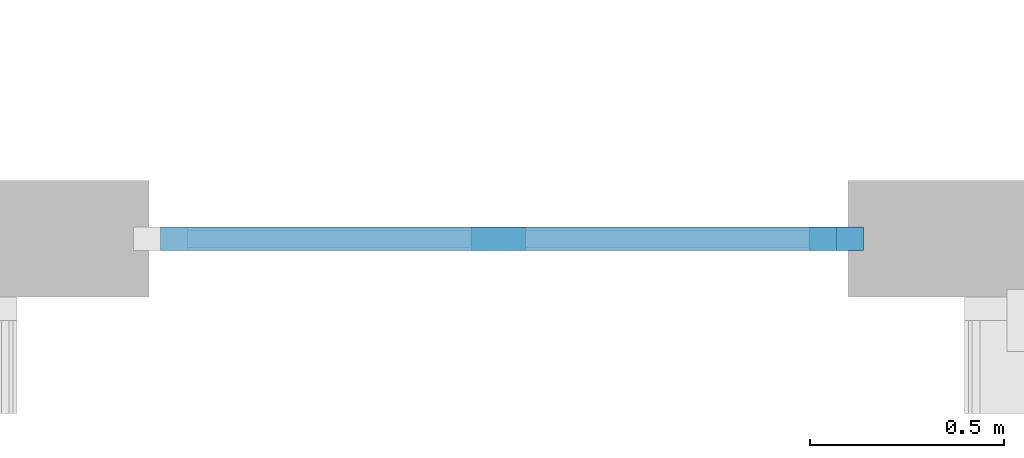
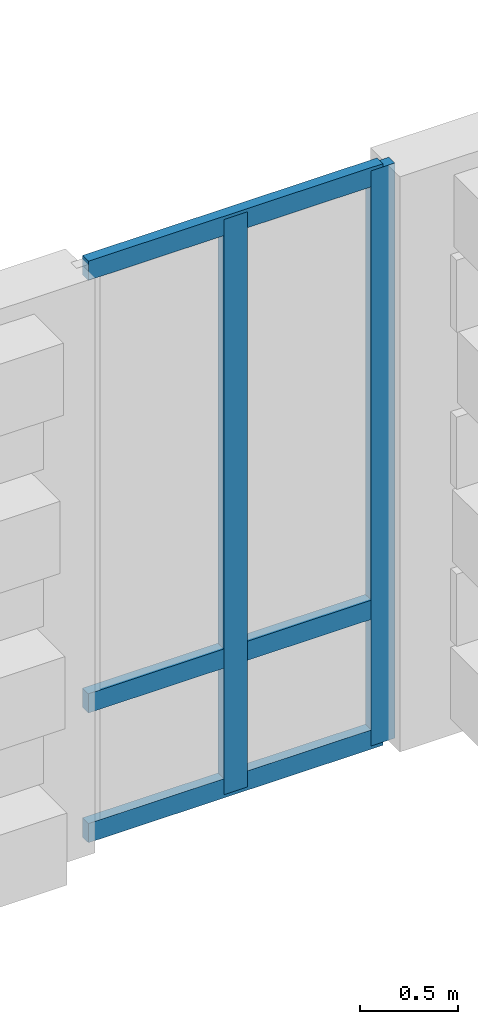
# One storey, part 6 of 57: 5 members, 1 element without a shape of its own.
"""IFC4 building model written with IfcOpenShell, lengths in metres."""

from ifc_helpers import new_model, si_unit, direction, frame, origin, origin_2d, place, context, subcontext, project, spatial, rectangle, extrude, material, material_profile, profile_set, type_object, element, aggregate, save


model = new_model("IFC4")

# Units and contexts
model_context = context("Model", 3, precision=1e-05, world=origin(), true_north=direction((0.0, 1.0)))
body_context = subcontext(model_context, "Body", "Model", "MODEL_VIEW")
ifc_project = project(units=[si_unit("LENGTHUNIT", "METRE"), si_unit("AREAUNIT", "SQUARE_METRE"), si_unit("VOLUMEUNIT", "CUBIC_METRE"), si_unit("PLANEANGLEUNIT", "RADIAN"), si_unit("MASSUNIT", "GRAM", prefix="KILO")], contexts=[model_context])

# Site, building, storey
site_placement = place(None, origin())
site = spatial("IfcSite", under=ifc_project, at=site_placement, CompositionType="ELEMENT")
building_placement = place(site_placement, origin())
building = spatial("IfcBuilding", under=site, at=building_placement, Name="Kahlenmark Community Centre", CompositionType="ELEMENT")
storey_placement = place(building_placement, frame((0.0, 0.0, 13.800048828125)))
storey = spatial("IfcBuildingStorey", under=building, at=storey_placement, Name="L03", CompositionType="ELEMENT", Elevation=13.800048828125)

# Curtain wall, members
ifc_material_1 = material(Name="Anodised aluminium unitised curtain wall", Category="aluminium")
curtain_wall_type = type_object("IfcCurtainWallType", Name="CWT-UNIT-180X359", PredefinedType="USERDEFINED", material=ifc_material_1)
curtain_wall_placement = place(storey_placement, origin())
curtain_wall = element("IfcCurtainWall", 1, at=curtain_wall_placement, inside=storey, type_object=curtain_wall_type, Name="Unitised curtain wall CW-107", ObjectType="UNITISED CURTAIN WALL", PredefinedType="USERDEFINED")
ifc_material_2 = material(Name="Anodised aluminium 6063-T6", Category="aluminium")
ifc_material_profile_1 = material_profile(ifc_material_2, rectangle(XDim=0.06005859375, YDim=0.139892578125, at=origin_2d()), Name="ALU MULLION 60x140")
ifc_profile_set_1 = profile_set([ifc_material_profile_1], Name="Anodised aluminium 6063-T6")
member_type_1 = type_object("IfcMemberType", Name="MT-MUL-140", PredefinedType="MULLION", material=ifc_profile_set_1)
member_1_placement = place(storey_placement, frame((33.39990234375, 8.800048828125, 0.0), z_axis=(0.0, 0.0, 1.0), x_axis=(0.0, 1.0, 0.0)))
member_1 = element("IfcMember", 2, at=member_1_placement, type_object=member_type_1, Name="CW-107 mullion 2", PredefinedType="MULLION", context=body_context, shape_type="SweptSolid", body=[
    extrude(rectangle(XDim=0.06005859375, YDim=0.139892578125, at=origin_2d()), origin(), (0.0, 0.0, 1.0), 3.58984375),
])
member_2_placement = place(storey_placement, frame((34.27001953125, 8.800048828125, 0.0), z_axis=(0.0, 0.0, 1.0), x_axis=(0.0, 1.0, 0.0)))
member_2 = element("IfcMember", 3, at=member_2_placement, type_object=member_type_1, Name="CW-107 mullion 3", PredefinedType="MULLION", context=body_context, shape_type="SweptSolid", body=[
    extrude(rectangle(XDim=0.06005859375, YDim=0.139892578125, at=origin_2d()), origin(), (0.0, 0.0, 1.0), 3.58984375),
])
ifc_material_profile_2 = material_profile(ifc_material_2, rectangle(XDim=0.06005859375, YDim=0.1201171875, at=origin_2d()), Name="ALU TRANSOM 60x120")
ifc_profile_set_2 = profile_set([ifc_material_profile_2], Name="Anodised aluminium 6063-T6")
member_type_2 = type_object("IfcMemberType", Name="MT-TRN-120", PredefinedType="USERDEFINED", material=ifc_profile_set_2)
member_3_placement = place(storey_placement, frame((32.530029296875, 8.800048828125, 0.0400390625), z_axis=(1.0, 0.0, 0.0), x_axis=(0.0, 1.0, 0.0)))
member_3 = element("IfcMember", 4, at=member_3_placement, type_object=member_type_2, Name="CW-107 transom 1", ObjectType="TRANSOM", PredefinedType="USERDEFINED", context=body_context, shape_type="SweptSolid", body=[
    extrude(rectangle(XDim=0.06005859375, YDim=0.1201171875, at=origin_2d()), origin(), (0.0, 0.0, 1.0), 1.739990234375),
])
member_4_placement = place(storey_placement, frame((32.530029296875, 8.800048828125, 0.849853515625), z_axis=(1.0, 0.0, 0.0), x_axis=(0.0, 1.0, 0.0)))
member_4 = element("IfcMember", 5, at=member_4_placement, type_object=member_type_2, Name="CW-107 transom 2", ObjectType="TRANSOM", PredefinedType="USERDEFINED", context=body_context, shape_type="SweptSolid", body=[
    extrude(rectangle(XDim=0.06005859375, YDim=0.1201171875, at=origin_2d()), origin(), (0.0, 0.0, 1.0), 1.739990234375),
])
member_5_placement = place(storey_placement, frame((32.530029296875, 8.800048828125, 3.550048828125), z_axis=(1.0, 0.0, 0.0), x_axis=(0.0, 1.0, 0.0)))
member_5 = element("IfcMember", 6, at=member_5_placement, type_object=member_type_2, Name="CW-107 transom 3", ObjectType="TRANSOM", PredefinedType="USERDEFINED", context=body_context, shape_type="SweptSolid", body=[
    extrude(rectangle(XDim=0.06005859375, YDim=0.1201171875, at=origin_2d()), origin(), (0.0, 0.0, 1.0), 1.739990234375),
])
aggregate(curtain_wall, [member_1, member_2, member_3, member_4, member_5])

save(model, "model.ifc")
